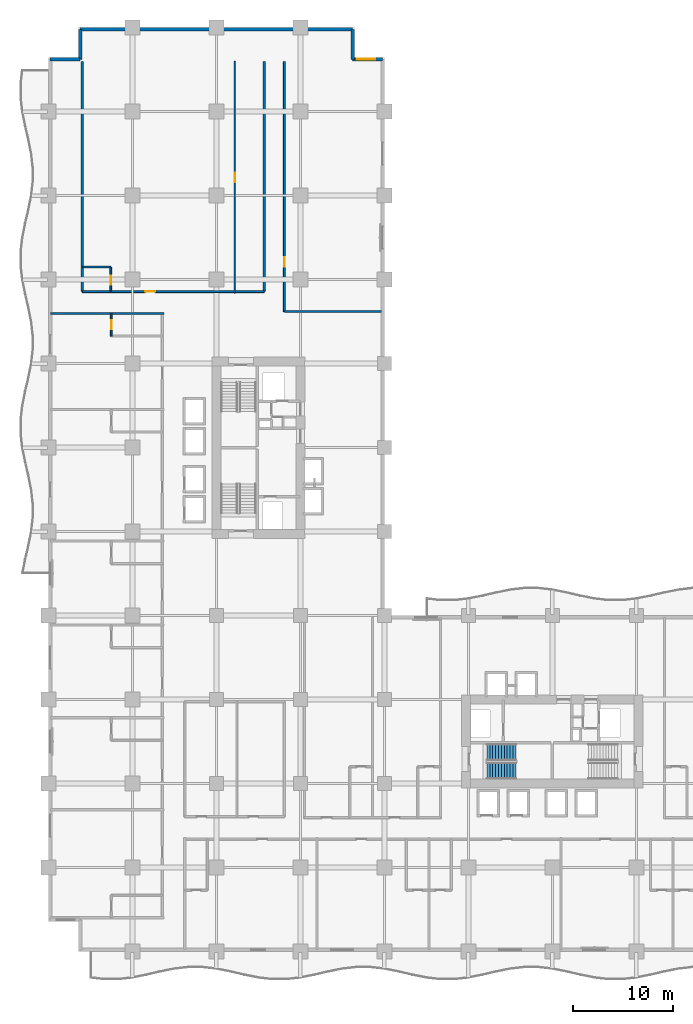
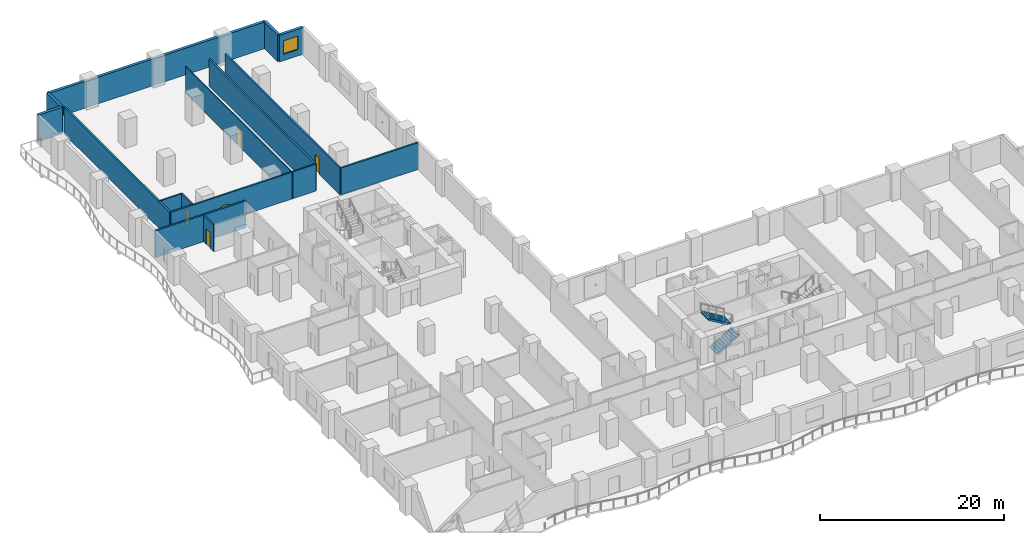
# One storey, part 13 of 22: 15 walls, 5 doors, 2 stair flights, 1 window, 6 openings, 1 element without a shape of its own.
"""IFC4 building model written with IfcOpenShell, lengths in metres."""

from ifc_helpers import new_model, si_unit, direction, frame, frame_2d, origin, place, context, subcontext, project, spatial, polyline, rectangle, outline, extrude, material, layer, layer_set, type_object, element, fill, aggregate, save


model = new_model("IFC4")

# Units and contexts
model_context = context("Model", 3, precision=1e-05, world=origin(), true_north=direction((0.0, 1.0)))
body_context = subcontext(model_context, "Body", "Model", "MODEL_VIEW")
ifc_project = project(units=[si_unit("LENGTHUNIT", "METRE"), si_unit("AREAUNIT", "SQUARE_METRE"), si_unit("VOLUMEUNIT", "CUBIC_METRE"), si_unit("PLANEANGLEUNIT", "RADIAN"), si_unit("MASSUNIT", "GRAM", prefix="KILO")], contexts=[model_context])

# Site, building, storey
site_placement = place(None, origin())
site = spatial("IfcSite", under=ifc_project, at=site_placement, CompositionType="ELEMENT")
building_placement = place(site_placement, origin())
building = spatial("IfcBuilding", under=site, at=building_placement, Name="Koriwani Terraces Tower", CompositionType="ELEMENT")
storey_placement = place(building_placement, frame((0.0, 0.0, 51.0)))
storey = spatial("IfcBuildingStorey", under=building, at=storey_placement, Name="L11", CompositionType="ELEMENT", Elevation=51.0)

# Wall, opening, door
ifc_material_1 = material(Name="Autoclaved Cellular Concrete Blockwork", Category="masonry")
ifc_layer_1 = layer(ifc_material_1, 0.199951171875, Name="Autoclaved Cellular Concrete Blockwork")
ifc_layer_set_1 = layer_set([ifc_layer_1], Name="Autoclaved Cellular Concrete Blockwork")
wall_type_1 = type_object("IfcWallType", Name="WALL_CORRIDOR_200", PredefinedType="PARTITIONING", material=ifc_layer_set_1)
wall_1_placement = place(storey_placement, frame((3.39990234375, 66.0, 0.0), z_axis=(0.0, 0.0, 1.0), x_axis=(1.0, 0.0, 0.0)))
wall_1 = element("IfcWall", 1, at=wall_1_placement, inside=storey, type_object=wall_type_1, Name="L11 Interior Wall WGB-L11-NTIP-S", PredefinedType="PARTITIONING", context=body_context, shape_type="SweptSolid", body=[
    extrude(rectangle(XDim=18.2001953125, YDim=0.199951171875, at=frame_2d((9.10009765625, 0.0))), origin(), (0.0, 0.0, 1.0), 3.550048828125),
])
opening_1_placement = place(wall_1_placement, frame((6.300048828125, 0.0, 0.0)))
opening_1 = element("IfcOpeningElement", 2, at=opening_1_placement, cuts=wall_1, Name="Opening D-05", PredefinedType="OPENING", context=body_context, shape_type="SweptSolid", body=[
    extrude(rectangle(XDim=1.0, YDim=2.14990234375, at=frame_2d((0.5, 1.074951171875))), frame((0.0, 0.10986328125, 0.0), z_axis=(0.0, -1.0, 0.0), x_axis=(1.0, 0.0, 0.0)), (0.0, 0.0, 1.0), 0.219970703125),
])
ifc_material_2 = material(Name="Architectural Oak Fire Door", Category="wood")
door_type_1 = type_object("IfcDoorType", Name="DOOR_SUITE_ENTRY_1000X2150", OperationType="NOTDEFINED", PredefinedType="DOOR", material=ifc_material_2)
door_1_placement = place(opening_1_placement, origin())
door_1 = element("IfcDoor", 3, at=door_1_placement, inside=storey, type_object=door_type_1, Name="Presidential Wing Suite 11N Entrance Door", OperationType="SINGLE_SWING_LEFT", OverallHeight=2.14990234375, OverallWidth=1.0, PredefinedType="DOOR", context=body_context, shape_type="SweptSolid", body=[
    extrude(rectangle(XDim=1.0, YDim=2.14990234375, at=frame_2d((0.5, 1.074951171875))), frame((0.0, 0.02490234375, 0.0), z_axis=(0.0, -1.0, 0.0), x_axis=(1.0, 0.0, 0.0)), (0.0, 0.0, 1.0), 0.050048828125),
])
fill(opening_1, door_1)

wall_2_placement = place(storey_placement, frame((23.60009765625, 64.0, 0.0), z_axis=(0.0, 0.0, 1.0), x_axis=(0.0, 1.0, 0.0)))
wall_2 = element("IfcWall", 4, at=wall_2_placement, inside=storey, type_object=wall_type_1, Name="L11 Interior Wall WNTIP2-W-L11", PredefinedType="PARTITIONING", context=body_context, shape_type="SweptSolid", body=[
    extrude(rectangle(XDim=25.0, YDim=0.199951171875, at=frame_2d((12.5, 0.0))), origin(), (0.0, 0.0, 1.0), 3.550048828125),
])
opening_2_placement = place(wall_2_placement, frame((4.5, 0.0, 0.0)))
opening_2 = element("IfcOpeningElement", 5, at=opening_2_placement, cuts=wall_2, Name="Opening D-06", PredefinedType="OPENING", context=body_context, shape_type="SweptSolid", body=[
    extrude(rectangle(XDim=0.919921875, YDim=2.10009765625, at=frame_2d((0.4599609375, 1.050048828125))), frame((0.0, 0.10986328125, 0.0), z_axis=(0.0, -1.0, 0.0), x_axis=(1.0, 0.0, 0.0)), (0.0, 0.0, 1.0), 0.219970703125),
])
door_type_2 = type_object("IfcDoorType", Name="DOOR_ROOM_INT_920X2100", OperationType="NOTDEFINED", PredefinedType="DOOR", material=ifc_material_2)
door_2_placement = place(opening_2_placement, origin())
door_2 = element("IfcDoor", 6, at=door_2_placement, inside=storey, type_object=door_type_2, Name="L11 North Panorama Salon Door", OperationType="SINGLE_SWING_RIGHT", OverallHeight=2.10009765625, OverallWidth=0.919921875, PredefinedType="DOOR", context=body_context, shape_type="SweptSolid", body=[
    extrude(rectangle(XDim=0.919921875, YDim=2.10009765625, at=frame_2d((0.4599609375, 1.050048828125))), frame((0.0, 0.02490234375, 0.0), z_axis=(0.0, -1.0, 0.0), x_axis=(1.0, 0.0, 0.0)), (0.0, 0.0, 1.0), 0.050048828125),
])
fill(opening_2, door_2)

# Walls
ifc_layer_2 = layer(ifc_material_1, 0.219970703125, Name="Autoclaved Cellular Concrete Blockwork")
ifc_layer_set_2 = layer_set([ifc_layer_2], Name="Autoclaved Cellular Concrete Blockwork")
wall_type_2 = type_object("IfcWallType", Name="WALL_DEMISING_220", PredefinedType="PARTITIONING", material=ifc_layer_set_2)
wall_3_placement = place(storey_placement, frame((0.199951171875, 63.800048828125, 0.0), z_axis=(0.0, 0.0, 1.0), x_axis=(1.0, 0.0, 0.0)))
element("IfcWall", 7, at=wall_3_placement, inside=storey, type_object=wall_type_2, Name="L11 Interior Wall WDEME-L11-NW", PredefinedType="PARTITIONING", context=body_context, shape_type="SweptSolid", body=[
    extrude(rectangle(XDim=11.380126953125, YDim=0.219970703125, at=frame_2d((5.68994140625, 0.0))), origin(), (0.0, 0.0, 1.0), 3.550048828125),
])
for number, where, z_axis, x_axis, name in (
    (8, (21.60009765625, 66.0, 0.0), (0.0, 0.0, 1.0), (0.0, 1.0, 0.0), "L11 Interior Wall WGB-L11-NTIP-E"),
    (9, (3.39990234375, 66.0, 0.0), (0.0, 0.0, 1.0), (0.0, 1.0, 0.0), "L11 Interior Wall WGB-L11-NTIP-W"),
):
    element("IfcWall", number, at=place(storey_placement, frame(where, z_axis=z_axis, x_axis=x_axis)), inside=storey, type_object=wall_type_2, Name=name, PredefinedType="PARTITIONING", context=body_context, shape_type="SweptSolid", body=[
        extrude(rectangle(XDim=23.0, YDim=0.219970703125, at=frame_2d((11.5, 0.0))), origin(), (0.0, 0.0, 1.0), 3.550048828125),
    ])
wall_4_placement = place(storey_placement, frame((23.60009765625, 64.0, 0.0), z_axis=(0.0, 0.0, 1.0), x_axis=(1.0, 0.0, 0.0)))
element("IfcWall", 10, at=wall_4_placement, inside=storey, type_object=wall_type_2, Name="L11 Interior Wall WNTIP2-S-L11", PredefinedType="PARTITIONING", context=body_context, shape_type="SweptSolid", body=[
    extrude(rectangle(XDim=9.699951171875, YDim=0.219970703125, at=frame_2d((4.85009765625, 0.0))), origin(), (0.0, 0.0, 1.0), 3.550048828125),
])
ifc_material_3 = material(Name="Concrete C50/60", Category="concrete")
ifc_layer_3 = layer(ifc_material_3, 0.35009765625, Name="Concrete C50/60")
ifc_layer_set_3 = layer_set([ifc_layer_3], Name="Concrete C50/60")
wall_type_3 = type_object("IfcWallType", Name="WALL_EXT_BRUTALIST_350", PredefinedType="STANDARD", material=ifc_layer_set_3)
for number, where, z_axis, x_axis, name in (
    (11, (0.175048828125, 89.22509765625, 0.0), (0.0, 0.0, 1.0), (1.0, 0.0, 0.0), "L11 Fair-Faced Brutalist Exterior Wall (N3)"),
    (12, (3.175048828125, 89.22509765625, 0.0), (0.0, 0.0, 1.0), (0.0, 1.0, 0.0), "L11 Fair-Faced Brutalist Exterior Wall (N4)"),
):
    element("IfcWall", number, at=place(storey_placement, frame(where, z_axis=z_axis, x_axis=x_axis)), inside=storey, type_object=wall_type_3, Name=name, PredefinedType="STANDARD", context=body_context, shape_type="SweptSolid", body=[
        extrude(rectangle(XDim=3.0, YDim=0.35009765625, at=frame_2d((1.5, 0.0))), origin(), (0.0, 0.0, 1.0), 3.550048828125),
    ])
wall_5_placement = place(storey_placement, frame((3.175048828125, 92.22509765625, 0.0), z_axis=(0.0, 0.0, 1.0), x_axis=(1.0, 0.0, 0.0)))
element("IfcWall", 13, at=wall_5_placement, inside=storey, type_object=wall_type_3, Name="L11 Fair-Faced Brutalist Exterior Wall (N_TIP)", PredefinedType="STANDARD", context=body_context, shape_type="SweptSolid", body=[
    extrude(rectangle(XDim=27.25, YDim=0.35009765625, at=frame_2d((13.625, 0.0))), origin(), (0.0, 0.0, 1.0), 3.550048828125),
])
wall_6_placement = place(storey_placement, frame((30.425048828125, 92.22509765625, 0.0), z_axis=(0.0, 0.0, 1.0), x_axis=(0.0, -1.0, 0.0)))
element("IfcWall", 14, at=wall_6_placement, inside=storey, type_object=wall_type_3, Name="L11 Fair-Faced Brutalist Exterior Wall (N6)", PredefinedType="STANDARD", context=body_context, shape_type="SweptSolid", body=[
    extrude(rectangle(XDim=3.0, YDim=0.35009765625, at=frame_2d((1.5, 0.0))), origin(), (0.0, 0.0, 1.0), 3.550048828125),
])

# Wall, opening, window
wall_7_placement = place(storey_placement, frame((30.425048828125, 89.22509765625, 0.0), z_axis=(0.0, 0.0, 1.0), x_axis=(1.0, 0.0, 0.0)))
wall_7 = element("IfcWall", 15, at=wall_7_placement, inside=storey, type_object=wall_type_3, Name="L11 Fair-Faced Brutalist Exterior Wall (N7)", PredefinedType="STANDARD", context=body_context, shape_type="SweptSolid", body=[
    extrude(rectangle(XDim=3.0, YDim=0.35009765625, at=frame_2d((1.5, 0.0))), origin(), (0.0, 0.0, 1.0), 3.550048828125),
])
opening_3_placement = place(wall_7_placement, frame((0.487548828125, 0.0, 0.85009765625)))
opening_3 = element("IfcOpeningElement", 16, at=opening_3_placement, cuts=wall_7, Name="Opening W-04", PredefinedType="OPENING", context=body_context, shape_type="SweptSolid", body=[
    extrude(rectangle(XDim=1.800048828125, YDim=1.800048828125, at=frame_2d((0.89990234375, 0.89990234375))), frame((0.0, 0.18505859375, 0.0), z_axis=(0.0, -1.0, 0.0), x_axis=(1.0, 0.0, 0.0)), (0.0, 0.0, 1.0), 0.3701171875),
])
ifc_material_4 = material(Name="Tempered Laminated Low-E Glass", Category="glass")
window_type = type_object("IfcWindowType", Name="WIN_RES_BED_1800X1800", PartitioningType="DOUBLE_PANEL_VERTICAL", PredefinedType="WINDOW", material=ifc_material_4)
window_placement = place(opening_3_placement, origin())
window = element("IfcWindow", 17, at=window_placement, inside=storey, type_object=window_type, Name="L11 Exterior Window (N7-R63)", OverallHeight=1.800048828125, OverallWidth=1.800048828125, PartitioningType="SINGLE_PANEL", PredefinedType="WINDOW", context=body_context, shape_type="SweptSolid", body=[
    extrude(rectangle(XDim=1.800048828125, YDim=1.800048828125, at=frame_2d((0.89990234375, 0.89990234375))), frame((0.0, 0.030029296875, 0.0), z_axis=(0.0, -1.0, 0.0), x_axis=(1.0, 0.0, 0.0)), (0.0, 0.0, 1.0), 0.06005859375),
])
fill(opening_3, window)

# Wall, opening, door
ifc_material_5 = material(Name="Fire-Rated Acoustic Gypsum Partition", Category="masonry")
ifc_layer_4 = layer(ifc_material_5, 0.125, Name="Fire-Rated Acoustic Gypsum Partition")
ifc_layer_set_4 = layer_set([ifc_layer_4], Name="Fire-Rated Acoustic Gypsum Partition")
wall_type_4 = type_object("IfcWallType", Name="WALL_INT_125", PredefinedType="PARTITIONING", material=ifc_layer_set_4)
wall_8_placement = place(storey_placement, frame((18.64990234375, 65.85009765625, 0.0), z_axis=(0.0, 0.0, 1.0), x_axis=(0.0, 1.0, 0.0)))
wall_8 = element("IfcWall", 18, at=wall_8_placement, inside=storey, type_object=wall_type_4, Name="L11 Interior Wall WGB-L11-NTIP-BD", PredefinedType="PARTITIONING", context=body_context, shape_type="SweptSolid", body=[
    extrude(rectangle(XDim=23.199951171875, YDim=0.125, at=frame_2d((11.60009765625, 0.0))), origin(), (0.0, 0.0, 1.0), 3.550048828125),
])
opening_4_placement = place(wall_8_placement, frame((11.10009765625, 0.0, 0.0)))
opening_4 = element("IfcOpeningElement", 19, at=opening_4_placement, cuts=wall_8, Name="Opening D-06", PredefinedType="OPENING", context=body_context, shape_type="SweptSolid", body=[
    extrude(rectangle(XDim=0.919921875, YDim=2.10009765625, at=frame_2d((0.4599609375, 1.050048828125))), frame((0.0, 0.072509765625, 0.0), z_axis=(0.0, -1.0, 0.0), x_axis=(1.0, 0.0, 0.0)), (0.0, 0.0, 1.0), 0.14501953125),
])
door_3_placement = place(opening_4_placement, origin())
door_3 = element("IfcDoor", 20, at=door_3_placement, inside=storey, type_object=door_type_2, Name="Presidential Wing Suite 11N Master Suite Door", OperationType="SINGLE_SWING_LEFT", OverallHeight=2.10009765625, OverallWidth=0.919921875, PredefinedType="DOOR", context=body_context, shape_type="SweptSolid", body=[
    extrude(rectangle(XDim=0.919921875, YDim=2.10009765625, at=frame_2d((0.4599609375, 1.050048828125))), frame((0.0, 0.02490234375, 0.0), z_axis=(0.0, -1.0, 0.0), x_axis=(1.0, 0.0, 0.0)), (0.0, 0.0, 1.0), 0.050048828125),
])
fill(opening_4, door_3)

ifc_layer_5 = layer(ifc_material_5, 0.179931640625, Name="Fire-Rated Acoustic Gypsum Partition")
ifc_layer_set_5 = layer_set([ifc_layer_5], Name="Fire-Rated Acoustic Gypsum Partition")
wall_type_5 = type_object("IfcWallType", Name="WALL_PLUMBING_180", PredefinedType="PLUMBINGWALL", material=ifc_layer_set_5)
wall_9_placement = place(storey_placement, frame((6.300048828125, 61.550048828125, 0.0), z_axis=(0.0, 0.0, 1.0), x_axis=(0.0, 1.0, 0.0)))
wall_9 = element("IfcWall", 21, at=wall_9_placement, inside=storey, type_object=wall_type_5, Name="L11 Interior Wall WBTH1-L11-NW-5", PredefinedType="PLUMBINGWALL", context=body_context, shape_type="SweptSolid", body=[
    extrude(rectangle(XDim=2.25, YDim=0.179931640625, at=frame_2d((1.125, 0.0))), origin(), (0.0, 0.0, 1.0), 3.550048828125),
])
opening_5_placement = place(wall_9_placement, frame((0.675048828125, 0.0, 0.0)))
opening_5 = element("IfcOpeningElement", 22, at=opening_5_placement, cuts=wall_9, Name="Opening D-07", PredefinedType="OPENING", context=body_context, shape_type="SweptSolid", body=[
    extrude(rectangle(XDim=0.89990234375, YDim=2.10009765625, at=frame_2d((0.449951171875, 1.050048828125))), frame((0.0, 0.10009765625, 0.0), z_axis=(0.0, -1.0, 0.0), x_axis=(1.0, 0.0, 0.0)), (0.0, 0.0, 1.0), 0.199951171875),
])
door_type_3 = type_object("IfcDoorType", Name="DOOR_BATH_INT_900X2100", OperationType="NOTDEFINED", PredefinedType="DOOR", material=ifc_material_2)
door_4_placement = place(opening_5_placement, origin())
door_4 = element("IfcDoor", 23, at=door_4_placement, inside=storey, type_object=door_type_3, Name="En-Suite Bathroom 11NW6 Door", OperationType="SINGLE_SWING_RIGHT", OverallHeight=2.10009765625, OverallWidth=0.89990234375, PredefinedType="DOOR", context=body_context, shape_type="SweptSolid", body=[
    extrude(rectangle(XDim=0.89990234375, YDim=2.10009765625, at=frame_2d((0.449951171875, 1.050048828125))), frame((0.0, 0.02490234375, 0.0), z_axis=(0.0, -1.0, 0.0), x_axis=(1.0, 0.0, 0.0)), (0.0, 0.0, 1.0), 0.050048828125),
])
fill(opening_5, door_4)

wall_10_placement = place(storey_placement, frame((6.25, 66.050048828125, 0.0), z_axis=(0.0, 0.0, 1.0), x_axis=(0.0, 1.0, 0.0)))
wall_10 = element("IfcWall", 24, at=wall_10_placement, inside=storey, type_object=wall_type_5, Name="L11 Interior Wall WGB-L11-NTIP-SVB", PredefinedType="PLUMBINGWALL", context=body_context, shape_type="SweptSolid", body=[
    extrude(rectangle(XDim=2.39990234375, YDim=0.179931640625, at=frame_2d((1.199951171875, 0.0))), origin(), (0.0, 0.0, 1.0), 3.550048828125),
])
opening_6_placement = place(wall_10_placement, frame((0.64990234375, 0.0, 0.0)))
opening_6 = element("IfcOpeningElement", 25, at=opening_6_placement, cuts=wall_10, Name="Opening D-07", PredefinedType="OPENING", context=body_context, shape_type="SweptSolid", body=[
    extrude(rectangle(XDim=0.89990234375, YDim=2.10009765625, at=frame_2d((0.449951171875, 1.050048828125))), frame((0.0, 0.10009765625, 0.0), z_axis=(0.0, -1.0, 0.0), x_axis=(1.0, 0.0, 0.0)), (0.0, 0.0, 1.0), 0.199951171875),
])
door_5_placement = place(opening_6_placement, origin())
door_5 = element("IfcDoor", 26, at=door_5_placement, inside=storey, type_object=door_type_3, Name="Presidential Wing Suite 11N Bathroom Door", OperationType="SINGLE_SWING_RIGHT", OverallHeight=2.10009765625, OverallWidth=0.89990234375, PredefinedType="DOOR", context=body_context, shape_type="SweptSolid", body=[
    extrude(rectangle(XDim=0.89990234375, YDim=2.10009765625, at=frame_2d((0.449951171875, 1.050048828125))), frame((0.0, 0.02490234375, 0.0), z_axis=(0.0, -1.0, 0.0), x_axis=(1.0, 0.0, 0.0)), (0.0, 0.0, 1.0), 0.050048828125),
])
fill(opening_6, door_5)

# Wall
wall_11_placement = place(storey_placement, frame((3.449951171875, 68.449951171875, 0.0), z_axis=(0.0, 0.0, 1.0), x_axis=(1.0, 0.0, 0.0)))
element("IfcWall", 27, at=wall_11_placement, inside=storey, type_object=wall_type_5, Name="L11 Interior Wall WGB-L11-NTIP-SV2", PredefinedType="PLUMBINGWALL", context=body_context, shape_type="SweptSolid", body=[
    extrude(rectangle(XDim=2.800048828125, YDim=0.179931640625, at=frame_2d((1.39990234375, 0.0))), origin(), (0.0, 0.0, 1.0), 3.550048828125),
])

# Stair, stair flights
ifc_material_6 = material(Name="Concrete C40/50", Category="concrete")
stair_type = type_object("IfcStairType", Name="STAIR_CORE_DOGLEG_1650", PredefinedType="TWO_STRAIGHT_RUN_STAIR", material=ifc_material_6)
stair_placement = place(storey_placement, origin())
stair = element("IfcStair", 28, at=stair_placement, inside=storey, type_object=stair_type, Name="L11 East Core Exit Stair 1", PredefinedType="HALF_TURN_STAIR")
stair_flight_type = type_object("IfcStairFlightType", Name="STAIR_FLIGHT_RC_1650", PredefinedType="STRAIGHT", material=ifc_material_6)
stair_flight_1_placement = place(storey_placement, frame((43.85009765625, 18.074951171875, 0.0), z_axis=(0.0, 0.0, 1.0), x_axis=(1.0, 0.0, 0.0)))
stair_flight_1 = element("IfcStairFlight", 29, at=stair_flight_1_placement, type_object=stair_flight_type, Name="ST-E1 flight 1", NumberOfRisers=11, NumberOfTreads=10, PredefinedType="STRAIGHT", RiserHeight=0.172727273, TreadLength=0.29, context=body_context, shape_type="SweptSolid", body=[
    extrude(outline(polyline([(0.0, 0.0), (0.0, 0.172607421875), (0.2900390625, 0.172607421875), (0.2900390625, 0.345458984375), (0.580078125, 0.345458984375), (0.580078125, 0.51806640625), (0.8701171875, 0.51806640625), (0.8701171875, 0.69091796875), (1.159912109375, 0.69091796875), (1.159912109375, 0.863525390625), (1.449951171875, 0.863525390625), (1.449951171875, 1.036376953125), (1.739990234375, 1.036376953125), (1.739990234375, 1.208984375), (2.030029296875, 1.208984375), (2.030029296875, 1.3818359375), (2.320068359375, 1.3818359375), (2.320068359375, 1.554443359375), (2.610107421875, 1.554443359375), (2.610107421875, 1.727294921875), (2.89990234375, 1.727294921875), (2.89990234375, 1.89990234375), (2.89990234375, 1.517822265625), (0.3515625, 0.0), (0.0, 0.0)])), frame((0.0, 0.824951171875, 0.0), z_axis=(0.0, -1.0, 0.0), x_axis=(1.0, 0.0, 0.0)), (0.0, 0.0, 1.0), 1.64990234375),
])
stair_flight_2_placement = place(storey_placement, frame((46.75, 19.925048828125, 1.89990234375), z_axis=(0.0, 0.0, 1.0), x_axis=(-1.0, 0.0, 0.0)))
stair_flight_2 = element("IfcStairFlight", 30, at=stair_flight_2_placement, type_object=stair_flight_type, Name="ST-E1 flight 2", NumberOfRisers=11, NumberOfTreads=10, PredefinedType="STRAIGHT", RiserHeight=0.172727273, TreadLength=0.29, context=body_context, shape_type="SweptSolid", body=[
    extrude(outline(polyline([(0.0, 0.0), (0.0, 0.172607421875), (0.2900390625, 0.172607421875), (0.2900390625, 0.345458984375), (0.580078125, 0.345458984375), (0.580078125, 0.51806640625), (0.8701171875, 0.51806640625), (0.8701171875, 0.69091796875), (1.159912109375, 0.69091796875), (1.159912109375, 0.863525390625), (1.449951171875, 0.863525390625), (1.449951171875, 1.036376953125), (1.739990234375, 1.036376953125), (1.739990234375, 1.208984375), (2.030029296875, 1.208984375), (2.030029296875, 1.3818359375), (2.320068359375, 1.3818359375), (2.320068359375, 1.554443359375), (2.610107421875, 1.554443359375), (2.610107421875, 1.727294921875), (2.89990234375, 1.727294921875), (2.89990234375, 1.89990234375), (2.89990234375, 1.517822265625), (0.3515625, 0.0), (0.0, 0.0)])), frame((0.0, 0.824951171875, 0.0), z_axis=(0.0, -1.0, 0.0), x_axis=(1.0, 0.0, 0.0)), (0.0, 0.0, 1.0), 1.64990234375),
])
aggregate(stair, [stair_flight_1, stair_flight_2])

save(model, "model.ifc")
